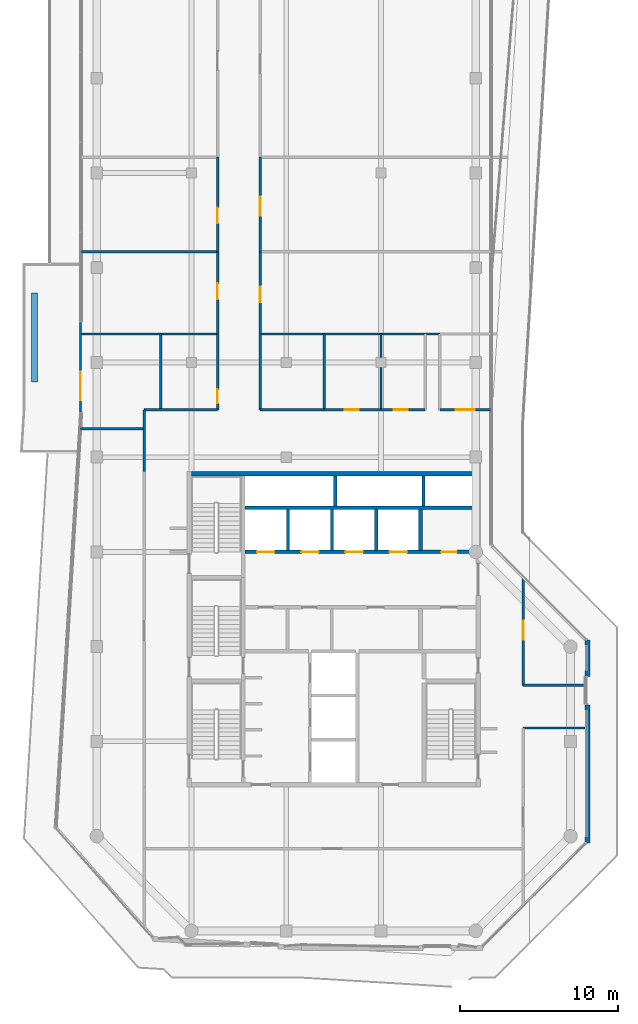
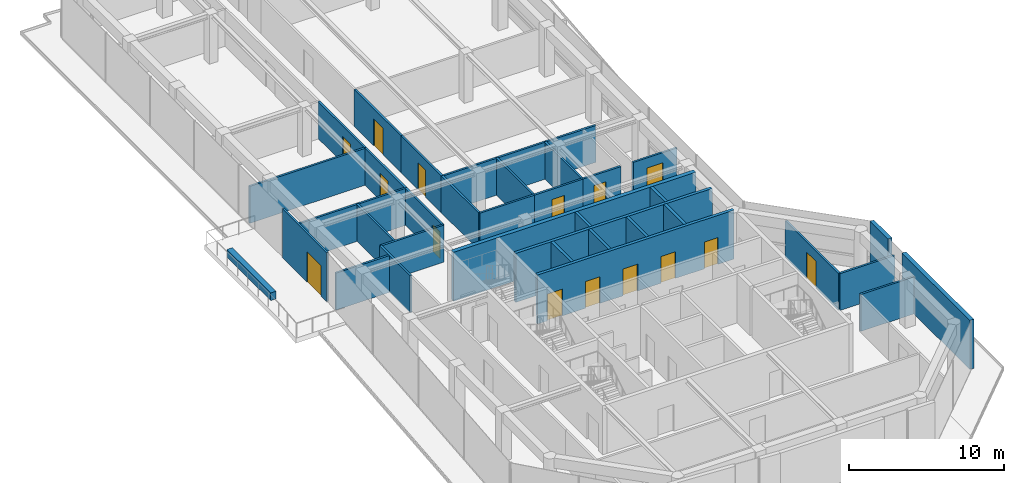
# One storey, part 15 of 18: 35 walls, 15 doors, 15 openings.
"""IFC4 building model written with IfcOpenShell, lengths in metres."""

from ifc_helpers import new_model, si_unit, direction, frame, frame_2d, origin, place, context, subcontext, project, spatial, rectangle, extrude, material, layer, layer_set, type_object, element, fill, save


model = new_model("IFC4")

# Units and contexts
model_context = context("Model", 3, precision=1e-05, world=origin(), true_north=direction((0.0, 1.0)))
body_context = subcontext(model_context, "Body", "Model", "MODEL_VIEW")
ifc_project = project(units=[si_unit("LENGTHUNIT", "METRE"), si_unit("AREAUNIT", "SQUARE_METRE"), si_unit("VOLUMEUNIT", "CUBIC_METRE"), si_unit("PLANEANGLEUNIT", "RADIAN"), si_unit("MASSUNIT", "GRAM", prefix="KILO")], contexts=[model_context])

# Site, building, storey
site_placement = place(None, origin())
site = spatial("IfcSite", under=ifc_project, at=site_placement, CompositionType="ELEMENT")
building_placement = place(site_placement, origin())
building = spatial("IfcBuilding", under=site, at=building_placement, Name="Welwitschia Terrace Campus", CompositionType="ELEMENT")
storey_placement = place(building_placement, frame((0.0, 0.0, 272.60009765625)))
storey = spatial("IfcBuildingStorey", under=building, at=storey_placement, Name="L60", CompositionType="ELEMENT", Elevation=272.60009765625)

# Wall, opening, door
ifc_material_1 = material(Name="Concrete C40/50", Category="concrete")
ifc_layer_1 = layer(ifc_material_1, 0.139892578125)
ifc_layer_set_1 = layer_set([ifc_layer_1], Name="Concrete C40/50")
wall_type_1 = type_object("IfcWallType", Name="Clad wall 140", PredefinedType="SOLIDWALL", material=ifc_layer_set_1)
wall_1_placement = place(storey_placement, frame((-1.030029296875, 34.543701171875, 0.0), z_axis=(0.0, 0.0, 1.0), x_axis=(0.0, -1.0, 0.0)))
wall_1 = element("IfcWall", 1, at=wall_1_placement, inside=storey, type_object=wall_type_1, Name="Clad wall L60.terrace door 0", PredefinedType="SOLIDWALL", context=body_context, shape_type="SweptSolid", body=[
    extrude(rectangle(XDim=5.697265625, YDim=0.139892578125, at=frame_2d((2.8486328125, 0.0))), origin(), (0.0, 0.0, 1.0), 3.849853515625),
])
opening_1_placement = place(wall_1_placement, frame((3.14892578125, 0.0, 0.0)))
opening_1 = element("IfcOpeningElement", 2, at=opening_1_placement, cuts=wall_1, Name="Opening DE3", PredefinedType="OPENING", context=body_context, shape_type="SweptSolid", body=[
    extrude(rectangle(XDim=1.800048828125, YDim=2.39990234375, at=frame_2d((0.89990234375, 1.199951171875))), frame((0.0, 0.079833984375, 0.0), z_axis=(0.0, -1.0, 0.0), x_axis=(1.0, 0.0, 0.0)), (0.0, 0.0, 1.0), 0.159912109375),
])
ifc_material_2 = material(Name="Bronze anodised aluminium and glass", Category="aluminium")
door_type_1 = type_object("IfcDoorType", Name="Terrace door 1800x2400", OperationType="DOUBLE_DOOR_DOUBLE_SWING", PredefinedType="DOOR", material=ifc_material_2)
door_1_placement = place(opening_1_placement, origin())
door_1 = element("IfcDoor", 3, at=door_1_placement, inside=storey, type_object=door_type_1, Name="Door L60:T0", OperationType="DOUBLE_DOOR_DOUBLE_SWING", OverallHeight=2.39990234375, OverallWidth=1.800048828125, PredefinedType="DOOR", context=body_context, shape_type="SweptSolid", body=[
    extrude(rectangle(XDim=1.800048828125, YDim=2.39990234375, at=frame_2d((0.89990234375, 1.199951171875))), frame((0.0, 0.02490234375, 0.0), z_axis=(0.0, -1.0, 0.0), x_axis=(1.0, 0.0, 0.0)), (0.0, 0.0, 1.0), 0.050048828125),
])
fill(opening_1, door_1)

# Wall, openings, doors
ifc_material_3 = material(Name="Concrete C32/40", Category="concrete")
ifc_layer_2 = layer(ifc_material_3, 0.22509765625)
ifc_layer_set_2 = layer_set([ifc_layer_2], Name="Concrete C32/40")
wall_type_2 = type_object("IfcWallType", Name="Core partition 225 Concrete C32/40", PredefinedType="PARTITIONING", material=ifc_layer_set_2)
wall_2_placement = place(storey_placement, frame((24.0, 20.0, 0.0), z_axis=(0.0, 0.0, 1.0), x_axis=(-1.0, 0.0, 0.0)))
wall_2 = element("IfcWall", 4, at=wall_2_placement, inside=storey, type_object=wall_type_2, Name="Shaft wall", PredefinedType="PARTITIONING", context=body_context, shape_type="SweptSolid", body=[
    extrude(rectangle(XDim=14.60009765625, YDim=0.22509765625, at=frame_2d((7.300048828125, 0.0))), origin(), (0.0, 0.0, 1.0), 3.849853515625),
])
opening_2_placement = place(wall_2_placement, frame((12.75, 0.0, 0.0)))
opening_2 = element("IfcOpeningElement", 5, at=opening_2_placement, cuts=wall_2, Name="Opening LD", PredefinedType="OPENING", context=body_context, shape_type="SweptSolid", body=[
    extrude(rectangle(XDim=1.10009765625, YDim=2.10009765625, at=frame_2d((0.550048828125, 1.050048828125))), frame((0.0, 0.12255859375, 0.0), z_axis=(0.0, -1.0, 0.0), x_axis=(1.0, 0.0, 0.0)), (0.0, 0.0, 1.0), 0.2451171875),
])
opening_3_placement = place(wall_2_placement, frame((9.949951171875, 0.0, 0.0)))
opening_3 = element("IfcOpeningElement", 6, at=opening_3_placement, cuts=wall_2, Name="Opening LD", PredefinedType="OPENING", context=body_context, shape_type="SweptSolid", body=[
    extrude(rectangle(XDim=1.10009765625, YDim=2.10009765625, at=frame_2d((0.550048828125, 1.050048828125))), frame((0.0, 0.12255859375, 0.0), z_axis=(0.0, -1.0, 0.0), x_axis=(1.0, 0.0, 0.0)), (0.0, 0.0, 1.0), 0.2451171875),
])
opening_4_placement = place(wall_2_placement, frame((7.14990234375, 0.0, 0.0)))
opening_4 = element("IfcOpeningElement", 7, at=opening_4_placement, cuts=wall_2, Name="Opening LD", PredefinedType="OPENING", context=body_context, shape_type="SweptSolid", body=[
    extrude(rectangle(XDim=1.10009765625, YDim=2.10009765625, at=frame_2d((0.550048828125, 1.050048828125))), frame((0.0, 0.12255859375, 0.0), z_axis=(0.0, -1.0, 0.0), x_axis=(1.0, 0.0, 0.0)), (0.0, 0.0, 1.0), 0.2451171875),
])
opening_5_placement = place(wall_2_placement, frame((4.35009765625, 0.0, 0.0)))
opening_5 = element("IfcOpeningElement", 8, at=opening_5_placement, cuts=wall_2, Name="Opening LD", PredefinedType="OPENING", context=body_context, shape_type="SweptSolid", body=[
    extrude(rectangle(XDim=1.10009765625, YDim=2.10009765625, at=frame_2d((0.550048828125, 1.050048828125))), frame((0.0, 0.12255859375, 0.0), z_axis=(0.0, -1.0, 0.0), x_axis=(1.0, 0.0, 0.0)), (0.0, 0.0, 1.0), 0.2451171875),
])
opening_6_placement = place(wall_2_placement, frame((1.199951171875, 0.0, 0.0)))
opening_6 = element("IfcOpeningElement", 9, at=opening_6_placement, cuts=wall_2, Name="Opening DR10", PredefinedType="OPENING", context=body_context, shape_type="SweptSolid", body=[
    extrude(rectangle(XDim=1.0, YDim=2.10009765625, at=frame_2d((0.5, 1.050048828125))), frame((0.0, 0.12255859375, 0.0), z_axis=(0.0, -1.0, 0.0), x_axis=(1.0, 0.0, 0.0)), (0.0, 0.0, 1.0), 0.2451171875),
])
ifc_material_4 = material(Name="Steel S275", Category="steel")
door_type_2 = type_object("IfcDoorType", Name="Core door DR10", OperationType="SINGLE_SWING_LEFT", PredefinedType="DOOR", material=ifc_material_4)
door_2_placement = place(opening_6_placement, origin())
door_2 = element("IfcDoor", 10, at=door_2_placement, inside=storey, type_object=door_type_2, Name="Door EH-D", OperationType="SINGLE_SWING_LEFT", OverallHeight=2.10009765625, OverallWidth=1.0, PredefinedType="DOOR", context=body_context, shape_type="SweptSolid", body=[
    extrude(rectangle(XDim=1.0, YDim=2.10009765625, at=frame_2d((0.5, 1.050048828125))), frame((0.0, 0.02490234375, 0.0), z_axis=(0.0, -1.0, 0.0), x_axis=(1.0, 0.0, 0.0)), (0.0, 0.0, 1.0), 0.050048828125),
])
fill(opening_6, door_2)
ifc_material_5 = material(Name="Stainless steel 304", Category="steel")
door_type_3 = type_object("IfcDoorType", Name="Lift landing door", OperationType="DOUBLE_DOOR_SLIDING", PredefinedType="DOOR", material=ifc_material_5)
door_3_placement = place(opening_2_placement, origin())
door_3 = element("IfcDoor", 11, at=door_3_placement, inside=storey, type_object=door_type_3, Name="Landing door HR1", OperationType="DOUBLE_DOOR_SLIDING", OverallHeight=2.10009765625, OverallWidth=1.10009765625, PredefinedType="DOOR", context=body_context, shape_type="SweptSolid", body=[
    extrude(rectangle(XDim=1.10009765625, YDim=2.10009765625, at=frame_2d((0.550048828125, 1.050048828125))), frame((0.0, 0.02490234375, 0.0), z_axis=(0.0, -1.0, 0.0), x_axis=(1.0, 0.0, 0.0)), (0.0, 0.0, 1.0), 0.050048828125),
])
fill(opening_2, door_3)
door_4_placement = place(opening_3_placement, origin())
door_4 = element("IfcDoor", 12, at=door_4_placement, inside=storey, type_object=door_type_3, Name="Landing door HR2", OperationType="DOUBLE_DOOR_SLIDING", OverallHeight=2.10009765625, OverallWidth=1.10009765625, PredefinedType="DOOR", context=body_context, shape_type="SweptSolid", body=[
    extrude(rectangle(XDim=1.10009765625, YDim=2.10009765625, at=frame_2d((0.550048828125, 1.050048828125))), frame((0.0, 0.02490234375, 0.0), z_axis=(0.0, -1.0, 0.0), x_axis=(1.0, 0.0, 0.0)), (0.0, 0.0, 1.0), 0.050048828125),
])
fill(opening_3, door_4)
door_5_placement = place(opening_4_placement, origin())
door_5 = element("IfcDoor", 13, at=door_5_placement, inside=storey, type_object=door_type_3, Name="Landing door HR3", OperationType="DOUBLE_DOOR_SLIDING", OverallHeight=2.10009765625, OverallWidth=1.10009765625, PredefinedType="DOOR", context=body_context, shape_type="SweptSolid", body=[
    extrude(rectangle(XDim=1.10009765625, YDim=2.10009765625, at=frame_2d((0.550048828125, 1.050048828125))), frame((0.0, 0.02490234375, 0.0), z_axis=(0.0, -1.0, 0.0), x_axis=(1.0, 0.0, 0.0)), (0.0, 0.0, 1.0), 0.050048828125),
])
fill(opening_4, door_5)
door_6_placement = place(opening_5_placement, origin())
door_6 = element("IfcDoor", 14, at=door_6_placement, inside=storey, type_object=door_type_3, Name="Landing door HR4", OperationType="DOUBLE_DOOR_SLIDING", OverallHeight=2.10009765625, OverallWidth=1.10009765625, PredefinedType="DOOR", context=body_context, shape_type="SweptSolid", body=[
    extrude(rectangle(XDim=1.10009765625, YDim=2.10009765625, at=frame_2d((0.550048828125, 1.050048828125))), frame((0.0, 0.02490234375, 0.0), z_axis=(0.0, -1.0, 0.0), x_axis=(1.0, 0.0, 0.0)), (0.0, 0.0, 1.0), 0.050048828125),
])
fill(opening_5, door_6)

# Walls
wall_3_placement = place(storey_placement, frame((9.39990234375, 22.800048828125, 0.0), z_axis=(0.0, 0.0, 1.0), x_axis=(1.0, 0.0, 0.0)))
element("IfcWall", 15, at=wall_3_placement, inside=storey, type_object=wall_type_2, Name="Shaft wall", PredefinedType="PARTITIONING", context=body_context, shape_type="SweptSolid", body=[
    extrude(rectangle(XDim=14.60009765625, YDim=0.22509765625, at=frame_2d((7.300048828125, 0.0))), origin(), (0.0, 0.0, 1.0), 3.849853515625),
])
wall_4_placement = place(storey_placement, frame((20.5, 20.10009765625, 0.0), z_axis=(0.0, 0.0, 1.0), x_axis=(0.0, 1.0, 0.0)))
element("IfcWall", 16, at=wall_4_placement, inside=storey, type_object=wall_type_2, Name="Shaft wall", PredefinedType="PARTITIONING", context=body_context, shape_type="SweptSolid", body=[
    extrude(rectangle(XDim=2.599853515625, YDim=0.22509765625, at=frame_2d((1.2998046875, 0.0))), origin(), (0.0, 0.0, 1.0), 3.849853515625),
])
ifc_material_6 = material(Name="Concrete C50/60", Category="concrete")
ifc_layer_3 = layer(ifc_material_6, 0.199951171875)
ifc_layer_set_3 = layer_set([ifc_layer_3], Name="Concrete C50/60")
wall_type_3 = type_object("IfcWallType", Name="Core wall 200 Concrete C50/60", PredefinedType="SHEAR", material=ifc_layer_set_3)
for number, where, z_axis, x_axis, name in (
    (17, (15.10009765625, 22.89990234375, 0.0), (0.0, 0.0, 1.0), (0.0, 1.0, 0.0), "Core wall"),
    (18, (20.699951171875, 22.89990234375, 0.0), (0.0, 0.0, 1.0), (0.0, 1.0, 0.0), "Core wall"),
):
    element("IfcWall", number, at=place(storey_placement, frame(where, z_axis=z_axis, x_axis=x_axis)), inside=storey, type_object=wall_type_3, Name=name, PredefinedType="SHEAR", context=body_context, shape_type="SweptSolid", body=[
        extrude(rectangle(XDim=1.900146484375, YDim=0.199951171875, at=frame_2d((0.9501953125, 0.0))), origin(), (0.0, 0.0, 1.0), 3.849853515625),
    ])
ifc_material_7 = material(Name="Concrete C50/60", Category="concrete")
ifc_layer_4 = layer(ifc_material_7, 0.300048828125)
ifc_layer_set_4 = layer_set([ifc_layer_4], Name="Concrete C50/60")
wall_type_4 = type_object("IfcWallType", Name="Core wall 300 Concrete C50/60", PredefinedType="SHEAR", material=ifc_layer_set_4)
wall_5_placement = place(storey_placement, frame((6.0, 24.949951171875, 0.0), z_axis=(0.0, 0.0, 1.0), x_axis=(1.0, 0.0, 0.0)))
element("IfcWall", 19, at=wall_5_placement, inside=storey, type_object=wall_type_4, Name="Core outer wall", PredefinedType="SHEAR", context=body_context, shape_type="SweptSolid", body=[
    extrude(rectangle(XDim=18.0, YDim=0.300048828125, at=frame_2d((9.0, 0.0))), origin(), (0.0, 0.0, 1.0), 3.849853515625),
])
ifc_material_8 = material(Name="Gypsum board on steel studs", Category="steel")
ifc_layer_5 = layer(ifc_material_8, 0.14990234375)
ifc_layer_set_5 = layer_set([ifc_layer_5], Name="Gypsum board on steel studs")
wall_type_5 = type_object("IfcWallType", Name="Corridor partition 150 EI 30", PredefinedType="PARTITIONING", material=ifc_layer_set_5)
wall_6_placement = place(storey_placement, frame((-1.0400390625, 27.800048828125, 0.0), z_axis=(0.0, 0.0, 1.0), x_axis=(1.0, 0.0, 0.0)))
element("IfcWall", 20, at=wall_6_placement, inside=storey, type_object=wall_type_5, Name="Partition", PredefinedType="PARTITIONING", context=body_context, shape_type="SweptSolid", body=[
    extrude(rectangle(XDim=4.0400390625, YDim=0.14990234375, at=frame_2d((2.02001953125, 0.0))), origin(), (0.0, 0.0, 1.0), 2.89990234375),
])
for number, where, z_axis, x_axis, name in (
    (21, (-0.97998046875, 33.800048828125, 0.0), (0.0, 0.0, 1.0), (1.0, 0.0, 0.0), "Partition"),
    (22, (-0.97998046875, 39.0, 0.0), (0.0, 0.0, 1.0), (1.0, 0.0, 0.0), "Partition"),
):
    element("IfcWall", number, at=place(storey_placement, frame(where, z_axis=z_axis, x_axis=x_axis)), inside=storey, type_object=wall_type_5, Name=name, PredefinedType="PARTITIONING", context=body_context, shape_type="SweptSolid", body=[
        extrude(rectangle(XDim=8.6298828125, YDim=0.14990234375, at=frame_2d((4.31494140625, 0.0))), origin(), (0.0, 0.0, 1.0), 2.89990234375),
    ])
wall_7_placement = place(storey_placement, frame((3.0, 25.10009765625, 0.0), z_axis=(0.0, 0.0, 1.0), x_axis=(0.0, 1.0, 0.0)))
element("IfcWall", 23, at=wall_7_placement, inside=storey, type_object=wall_type_5, Name="Partition", PredefinedType="PARTITIONING", context=body_context, shape_type="SweptSolid", body=[
    extrude(rectangle(XDim=3.89990234375, YDim=0.14990234375, at=frame_2d((1.949951171875, 0.0))), origin(), (0.0, 0.0, 1.0), 2.89990234375),
])
wall_8_placement = place(storey_placement, frame((3.0, 29.0, 0.0), z_axis=(0.0, 0.0, 1.0), x_axis=(1.0, 0.0, 0.0)))
element("IfcWall", 24, at=wall_8_placement, inside=storey, type_object=wall_type_5, Name="Partition", PredefinedType="PARTITIONING", context=body_context, shape_type="SweptSolid", body=[
    extrude(rectangle(XDim=4.64990234375, YDim=0.14990234375, at=frame_2d((2.324951171875, 0.0))), origin(), (0.0, 0.0, 1.0), 2.89990234375),
])
wall_9_placement = place(storey_placement, frame((4.050048828125, 29.0, 0.0), z_axis=(0.0, 0.0, 1.0), x_axis=(0.0, 1.0, 0.0)))
element("IfcWall", 25, at=wall_9_placement, inside=storey, type_object=wall_type_5, Name="Partition", PredefinedType="PARTITIONING", context=body_context, shape_type="SweptSolid", body=[
    extrude(rectangle(XDim=4.800048828125, YDim=0.14990234375, at=frame_2d((2.39990234375, 0.0))), origin(), (0.0, 0.0, 1.0), 2.89990234375),
])

# Wall, opening, door
wall_10_placement = place(storey_placement, frame((7.64990234375, 29.0, 0.0), z_axis=(0.0, 0.0, 1.0), x_axis=(0.0, 1.0, 0.0)))
wall_10 = element("IfcWall", 26, at=wall_10_placement, inside=storey, type_object=wall_type_5, Name="Partition", PredefinedType="PARTITIONING", context=body_context, shape_type="SweptSolid", body=[
    extrude(rectangle(XDim=4.800048828125, YDim=0.14990234375, at=frame_2d((2.39990234375, 0.0))), origin(), (0.0, 0.0, 1.0), 2.89990234375),
])
opening_7_placement = place(wall_10_placement, frame((0.39990234375, 0.0, 0.0)))
opening_7 = element("IfcOpeningElement", 27, at=opening_7_placement, cuts=wall_10, Name="Opening DI09", PredefinedType="OPENING", context=body_context, shape_type="SweptSolid", body=[
    extrude(rectangle(XDim=0.89990234375, YDim=2.10009765625, at=frame_2d((0.449951171875, 1.050048828125))), frame((0.0, 0.0849609375, 0.0), z_axis=(0.0, -1.0, 0.0), x_axis=(1.0, 0.0, 0.0)), (0.0, 0.0, 1.0), 0.169921875),
])
ifc_material_9 = material(Name="Timber veneered door", Category="wood")
door_type_4 = type_object("IfcDoorType", Name="Interior door DI09", OperationType="NOTDEFINED", PredefinedType="DOOR", material=ifc_material_9)
door_7_placement = place(opening_7_placement, origin())
door_7 = element("IfcDoor", 28, at=door_7_placement, inside=storey, type_object=door_type_4, Name="Door L60 1073", OperationType="SINGLE_SWING_RIGHT", OverallHeight=2.10009765625, OverallWidth=0.89990234375, PredefinedType="DOOR", context=body_context, shape_type="SweptSolid", body=[
    extrude(rectangle(XDim=0.89990234375, YDim=2.10009765625, at=frame_2d((0.449951171875, 1.050048828125))), frame((0.0, 0.02490234375, 0.0), z_axis=(0.0, -1.0, 0.0), x_axis=(1.0, 0.0, 0.0)), (0.0, 0.0, 1.0), 0.050048828125),
])
fill(opening_7, door_7)

wall_11_placement = place(storey_placement, frame((7.64990234375, 33.800048828125, 0.0), z_axis=(0.0, 0.0, 1.0), x_axis=(0.0, 1.0, 0.0)))
wall_11 = element("IfcWall", 29, at=wall_11_placement, inside=storey, type_object=wall_type_5, Name="Partition", PredefinedType="PARTITIONING", context=body_context, shape_type="SweptSolid", body=[
    extrude(rectangle(XDim=5.199951171875, YDim=0.14990234375, at=frame_2d((2.60009765625, 0.0))), origin(), (0.0, 0.0, 1.0), 2.89990234375),
])
opening_8_placement = place(wall_11_placement, frame((2.199951171875, 0.0, 0.0)))
opening_8 = element("IfcOpeningElement", 30, at=opening_8_placement, cuts=wall_11, Name="Opening DI10", PredefinedType="OPENING", context=body_context, shape_type="SweptSolid", body=[
    extrude(rectangle(XDim=1.0, YDim=2.10009765625, at=frame_2d((0.5, 1.050048828125))), frame((0.0, 0.0849609375, 0.0), z_axis=(0.0, -1.0, 0.0), x_axis=(1.0, 0.0, 0.0)), (0.0, 0.0, 1.0), 0.169921875),
])
ifc_material_10 = material(Name="Timber veneered door", Category="wood")
door_type_5 = type_object("IfcDoorType", Name="Interior door DI10", OperationType="NOTDEFINED", PredefinedType="DOOR", material=ifc_material_10)
door_8_placement = place(opening_8_placement, origin())
door_8 = element("IfcDoor", 31, at=door_8_placement, inside=storey, type_object=door_type_5, Name="Door L60 1074", OperationType="SINGLE_SWING_LEFT", OverallHeight=2.10009765625, OverallWidth=1.0, PredefinedType="DOOR", context=body_context, shape_type="SweptSolid", body=[
    extrude(rectangle(XDim=1.0, YDim=2.10009765625, at=frame_2d((0.5, 1.050048828125))), frame((0.0, 0.02490234375, 0.0), z_axis=(0.0, -1.0, 0.0), x_axis=(1.0, 0.0, 0.0)), (0.0, 0.0, 1.0), 0.050048828125),
])
fill(opening_8, door_8)

wall_12_placement = place(storey_placement, frame((7.64990234375, 39.0, 0.0), z_axis=(0.0, 0.0, 1.0), x_axis=(0.0, 1.0, 0.0)))
wall_12 = element("IfcWall", 32, at=wall_12_placement, inside=storey, type_object=wall_type_5, Name="Partition", PredefinedType="PARTITIONING", context=body_context, shape_type="SweptSolid", body=[
    extrude(rectangle(XDim=6.0, YDim=0.14990234375, at=frame_2d((3.0, 0.0))), origin(), (0.0, 0.0, 1.0), 2.89990234375),
])
opening_9_placement = place(wall_12_placement, frame((1.800048828125, 0.0, 0.0)))
opening_9 = element("IfcOpeningElement", 33, at=opening_9_placement, cuts=wall_12, Name="Opening DI10", PredefinedType="OPENING", context=body_context, shape_type="SweptSolid", body=[
    extrude(rectangle(XDim=1.0, YDim=2.10009765625, at=frame_2d((0.5, 1.050048828125))), frame((0.0, 0.0849609375, 0.0), z_axis=(0.0, -1.0, 0.0), x_axis=(1.0, 0.0, 0.0)), (0.0, 0.0, 1.0), 0.169921875),
])
door_9_placement = place(opening_9_placement, origin())
door_9 = element("IfcDoor", 34, at=door_9_placement, inside=storey, type_object=door_type_5, Name="Door L60 1075", OperationType="SINGLE_SWING_RIGHT", OverallHeight=2.10009765625, OverallWidth=1.0, PredefinedType="DOOR", context=body_context, shape_type="SweptSolid", body=[
    extrude(rectangle(XDim=1.0, YDim=2.10009765625, at=frame_2d((0.5, 1.050048828125))), frame((0.0, 0.02490234375, 0.0), z_axis=(0.0, -1.0, 0.0), x_axis=(1.0, 0.0, 0.0)), (0.0, 0.0, 1.0), 0.050048828125),
])
fill(opening_9, door_9)

# Walls
wall_13_placement = place(storey_placement, frame((10.35009765625, 29.0, 0.0), z_axis=(0.0, 0.0, 1.0), x_axis=(0.0, 1.0, 0.0)))
element("IfcWall", 35, at=wall_13_placement, inside=storey, type_object=wall_type_5, Name="Partition", PredefinedType="PARTITIONING", context=body_context, shape_type="SweptSolid", body=[
    extrude(rectangle(XDim=4.800048828125, YDim=0.14990234375, at=frame_2d((2.39990234375, 0.0))), origin(), (0.0, 0.0, 1.0), 2.89990234375),
])
wall_14_placement = place(storey_placement, frame((10.35009765625, 29.0, 0.0), z_axis=(0.0, 0.0, 1.0), x_axis=(1.0, 0.0, 0.0)))
element("IfcWall", 36, at=wall_14_placement, inside=storey, type_object=wall_type_5, Name="Partition", PredefinedType="PARTITIONING", context=body_context, shape_type="SweptSolid", body=[
    extrude(rectangle(XDim=4.0498046875, YDim=0.14990234375, at=frame_2d((2.02490234375, 0.0))), origin(), (0.0, 0.0, 1.0), 2.89990234375),
])
wall_15_placement = place(storey_placement, frame((10.35009765625, 33.800048828125, 0.0), z_axis=(0.0, 0.0, 1.0), x_axis=(1.0, 0.0, 0.0)))
element("IfcWall", 37, at=wall_15_placement, inside=storey, type_object=wall_type_5, Name="Partition", PredefinedType="PARTITIONING", context=body_context, shape_type="SweptSolid", body=[
    extrude(rectangle(XDim=11.3798828125, YDim=0.14990234375, at=frame_2d((5.68994140625, 0.0))), origin(), (0.0, 0.0, 1.0), 2.89990234375),
])

# Wall, opening, door
wall_16_placement = place(storey_placement, frame((10.35009765625, 39.0, 0.0), z_axis=(0.0, 0.0, 1.0), x_axis=(0.0, -1.0, 0.0)))
wall_16 = element("IfcWall", 38, at=wall_16_placement, inside=storey, type_object=wall_type_5, Name="Partition", PredefinedType="PARTITIONING", context=body_context, shape_type="SweptSolid", body=[
    extrude(rectangle(XDim=5.199951171875, YDim=0.14990234375, at=frame_2d((2.60009765625, 0.0))), origin(), (0.0, 0.0, 1.0), 2.89990234375),
])
opening_10_placement = place(wall_16_placement, frame((2.199951171875, 0.0, 0.0)))
opening_10 = element("IfcOpeningElement", 39, at=opening_10_placement, cuts=wall_16, Name="Opening DI10", PredefinedType="OPENING", context=body_context, shape_type="SweptSolid", body=[
    extrude(rectangle(XDim=1.0, YDim=2.10009765625, at=frame_2d((0.5, 1.050048828125))), frame((0.0, 0.0849609375, 0.0), z_axis=(0.0, -1.0, 0.0), x_axis=(1.0, 0.0, 0.0)), (0.0, 0.0, 1.0), 0.169921875),
])
door_10_placement = place(opening_10_placement, origin())
door_10 = element("IfcDoor", 40, at=door_10_placement, inside=storey, type_object=door_type_5, Name="Door L60 1078", OperationType="SINGLE_SWING_LEFT", OverallHeight=2.10009765625, OverallWidth=1.0, PredefinedType="DOOR", context=body_context, shape_type="SweptSolid", body=[
    extrude(rectangle(XDim=1.0, YDim=2.10009765625, at=frame_2d((0.5, 1.050048828125))), frame((0.0, 0.02490234375, 0.0), z_axis=(0.0, -1.0, 0.0), x_axis=(1.0, 0.0, 0.0)), (0.0, 0.0, 1.0), 0.050048828125),
])
fill(opening_10, door_10)

wall_17_placement = place(storey_placement, frame((10.35009765625, 39.0, 0.0), z_axis=(0.0, 0.0, 1.0), x_axis=(0.0, 1.0, 0.0)))
wall_17 = element("IfcWall", 41, at=wall_17_placement, inside=storey, type_object=wall_type_5, Name="Partition", PredefinedType="PARTITIONING", context=body_context, shape_type="SweptSolid", body=[
    extrude(rectangle(XDim=6.0, YDim=0.14990234375, at=frame_2d((3.0, 0.0))), origin(), (0.0, 0.0, 1.0), 2.89990234375),
])
opening_11_placement = place(wall_17_placement, frame((2.300048828125, 0.0, 0.0)))
opening_11 = element("IfcOpeningElement", 42, at=opening_11_placement, cuts=wall_17, Name="Opening DI12", PredefinedType="OPENING", context=body_context, shape_type="SweptSolid", body=[
    extrude(rectangle(XDim=1.199951171875, YDim=2.10009765625, at=frame_2d((0.60009765625, 1.050048828125))), frame((0.0, 0.0849609375, 0.0), z_axis=(0.0, -1.0, 0.0), x_axis=(1.0, 0.0, 0.0)), (0.0, 0.0, 1.0), 0.169921875),
])
ifc_material_11 = material(Name="Timber veneered door", Category="wood")
door_type_6 = type_object("IfcDoorType", Name="Interior door DI12", OperationType="NOTDEFINED", PredefinedType="DOOR", material=ifc_material_11)
door_11_placement = place(opening_11_placement, origin())
door_11 = element("IfcDoor", 43, at=door_11_placement, inside=storey, type_object=door_type_6, Name="Door L60 1079", OperationType="SINGLE_SWING_RIGHT", OverallHeight=2.10009765625, OverallWidth=1.199951171875, PredefinedType="DOOR", context=body_context, shape_type="SweptSolid", body=[
    extrude(rectangle(XDim=1.199951171875, YDim=2.10009765625, at=frame_2d((0.60009765625, 1.050048828125))), frame((0.0, 0.02490234375, 0.0), z_axis=(0.0, -1.0, 0.0), x_axis=(1.0, 0.0, 0.0)), (0.0, 0.0, 1.0), 0.050048828125),
])
fill(opening_11, door_11)

# Wall
wall_18_placement = place(storey_placement, frame((14.39990234375, 29.0, 0.0), z_axis=(0.0, 0.0, 1.0), x_axis=(0.0, 1.0, 0.0)))
element("IfcWall", 44, at=wall_18_placement, inside=storey, type_object=wall_type_5, Name="Partition", PredefinedType="PARTITIONING", context=body_context, shape_type="SweptSolid", body=[
    extrude(rectangle(XDim=4.800048828125, YDim=0.14990234375, at=frame_2d((2.39990234375, 0.0))), origin(), (0.0, 0.0, 1.0), 2.89990234375),
])

# Wall, opening, door
wall_19_placement = place(storey_placement, frame((14.39990234375, 29.0, 0.0), z_axis=(0.0, 0.0, 1.0), x_axis=(1.0, 0.0, 0.0)))
wall_19 = element("IfcWall", 45, at=wall_19_placement, inside=storey, type_object=wall_type_5, Name="Partition", PredefinedType="PARTITIONING", context=body_context, shape_type="SweptSolid", body=[
    extrude(rectangle(XDim=3.60009765625, YDim=0.14990234375, at=frame_2d((1.800048828125, 0.0))), origin(), (0.0, 0.0, 1.0), 2.89990234375),
])
opening_12_placement = place(wall_19_placement, frame((1.300048828125, 0.0, 0.0)))
opening_12 = element("IfcOpeningElement", 46, at=opening_12_placement, cuts=wall_19, Name="Opening DI09", PredefinedType="OPENING", context=body_context, shape_type="SweptSolid", body=[
    extrude(rectangle(XDim=0.89990234375, YDim=2.10009765625, at=frame_2d((0.449951171875, 1.050048828125))), frame((0.0, 0.0849609375, 0.0), z_axis=(0.0, -1.0, 0.0), x_axis=(1.0, 0.0, 0.0)), (0.0, 0.0, 1.0), 0.169921875),
])
door_12_placement = place(opening_12_placement, origin())
door_12 = element("IfcDoor", 47, at=door_12_placement, inside=storey, type_object=door_type_4, Name="Door L60 1082", OperationType="SINGLE_SWING_LEFT", OverallHeight=2.10009765625, OverallWidth=0.89990234375, PredefinedType="DOOR", context=body_context, shape_type="SweptSolid", body=[
    extrude(rectangle(XDim=0.89990234375, YDim=2.10009765625, at=frame_2d((0.449951171875, 1.050048828125))), frame((0.0, 0.02490234375, 0.0), z_axis=(0.0, -1.0, 0.0), x_axis=(1.0, 0.0, 0.0)), (0.0, 0.0, 1.0), 0.050048828125),
])
fill(opening_12, door_12)

# Wall
wall_20_placement = place(storey_placement, frame((18.0, 29.0, 0.0), z_axis=(0.0, 0.0, 1.0), x_axis=(0.0, 1.0, 0.0)))
element("IfcWall", 48, at=wall_20_placement, inside=storey, type_object=wall_type_5, Name="Partition", PredefinedType="PARTITIONING", context=body_context, shape_type="SweptSolid", body=[
    extrude(rectangle(XDim=4.800048828125, YDim=0.14990234375, at=frame_2d((2.39990234375, 0.0))), origin(), (0.0, 0.0, 1.0), 2.89990234375),
])

# Wall, opening, door
wall_21_placement = place(storey_placement, frame((18.0, 29.0, 0.0), z_axis=(0.0, 0.0, 1.0), x_axis=(1.0, 0.0, 0.0)))
wall_21 = element("IfcWall", 49, at=wall_21_placement, inside=storey, type_object=wall_type_5, Name="Partition", PredefinedType="PARTITIONING", context=body_context, shape_type="SweptSolid", body=[
    extrude(rectangle(XDim=2.800048828125, YDim=0.14990234375, at=frame_2d((1.39990234375, 0.0))), origin(), (0.0, 0.0, 1.0), 2.89990234375),
])
opening_13_placement = place(wall_21_placement, frame((0.800048828125, 0.0, 0.0)))
opening_13 = element("IfcOpeningElement", 50, at=opening_13_placement, cuts=wall_21, Name="Opening DI09", PredefinedType="OPENING", context=body_context, shape_type="SweptSolid", body=[
    extrude(rectangle(XDim=0.89990234375, YDim=2.10009765625, at=frame_2d((0.449951171875, 1.050048828125))), frame((0.0, 0.0849609375, 0.0), z_axis=(0.0, -1.0, 0.0), x_axis=(1.0, 0.0, 0.0)), (0.0, 0.0, 1.0), 0.169921875),
])
door_13_placement = place(opening_13_placement, origin())
door_13 = element("IfcDoor", 51, at=door_13_placement, inside=storey, type_object=door_type_4, Name="Door L60 1083", OperationType="SINGLE_SWING_RIGHT", OverallHeight=2.10009765625, OverallWidth=0.89990234375, PredefinedType="DOOR", context=body_context, shape_type="SweptSolid", body=[
    extrude(rectangle(XDim=0.89990234375, YDim=2.10009765625, at=frame_2d((0.449951171875, 1.050048828125))), frame((0.0, 0.02490234375, 0.0), z_axis=(0.0, -1.0, 0.0), x_axis=(1.0, 0.0, 0.0)), (0.0, 0.0, 1.0), 0.050048828125),
])
fill(opening_13, door_13)

wall_22_placement = place(storey_placement, frame((21.72998046875, 29.0, 0.0), z_axis=(0.0, 0.0, 1.0), x_axis=(1.0, 0.0, 0.0)))
wall_22 = element("IfcWall", 52, at=wall_22_placement, inside=storey, type_object=wall_type_5, Name="Partition", PredefinedType="PARTITIONING", context=body_context, shape_type="SweptSolid", body=[
    extrude(rectangle(XDim=3.239990234375, YDim=0.14990234375, at=frame_2d((1.6201171875, 0.0))), origin(), (0.0, 0.0, 1.0), 2.89990234375),
])
opening_14_placement = place(wall_22_placement, frame((1.010009765625, 0.0, 0.0)))
opening_14 = element("IfcOpeningElement", 53, at=opening_14_placement, cuts=wall_22, Name="Opening DX12", PredefinedType="OPENING", context=body_context, shape_type="SweptSolid", body=[
    extrude(rectangle(XDim=1.199951171875, YDim=2.10009765625, at=frame_2d((0.60009765625, 1.050048828125))), frame((0.0, 0.0849609375, 0.0), z_axis=(0.0, -1.0, 0.0), x_axis=(1.0, 0.0, 0.0)), (0.0, 0.0, 1.0), 0.169921875),
])
ifc_material_12 = material(Name="Timber veneered door", Category="wood")
door_type_7 = type_object("IfcDoorType", Name="Interior door DX12", OperationType="NOTDEFINED", PredefinedType="DOOR", material=ifc_material_12)
door_14_placement = place(opening_14_placement, origin())
door_14 = element("IfcDoor", 54, at=door_14_placement, inside=storey, type_object=door_type_7, Name="Door L60 1084", OperationType="SINGLE_SWING_LEFT", OverallHeight=2.10009765625, OverallWidth=1.199951171875, PredefinedType="DOOR", context=body_context, shape_type="SweptSolid", body=[
    extrude(rectangle(XDim=1.199951171875, YDim=2.10009765625, at=frame_2d((0.60009765625, 1.050048828125))), frame((0.0, 0.02490234375, 0.0), z_axis=(0.0, -1.0, 0.0), x_axis=(1.0, 0.0, 0.0)), (0.0, 0.0, 1.0), 0.050048828125),
])
fill(opening_14, door_14)

# Wall
wall_23_placement = place(storey_placement, frame((27.0, 8.85009765625, 0.0), z_axis=(0.0, 0.0, 1.0), x_axis=(1.0, 0.0, 0.0)))
element("IfcWall", 55, at=wall_23_placement, inside=storey, type_object=wall_type_5, Name="Partition", PredefinedType="PARTITIONING", context=body_context, shape_type="SweptSolid", body=[
    extrude(rectangle(XDim=4.090087890625, YDim=0.14990234375, at=frame_2d((2.044921875, 0.0))), origin(), (0.0, 0.0, 1.0), 2.89990234375),
])

# Wall, opening, door
wall_24_placement = place(storey_placement, frame((27.0, 11.550048828125, 0.0), z_axis=(0.0, 0.0, 1.0), x_axis=(0.0, 1.0, 0.0)))
wall_24 = element("IfcWall", 56, at=wall_24_placement, inside=storey, type_object=wall_type_5, Name="Partition", PredefinedType="PARTITIONING", context=body_context, shape_type="SweptSolid", body=[
    extrude(rectangle(XDim=6.829833984375, YDim=0.14990234375, at=frame_2d((3.4150390625, 0.0))), origin(), (0.0, 0.0, 1.0), 2.89990234375),
])
opening_15_placement = place(wall_24_placement, frame((2.89990234375, 0.0, 0.0)))
opening_15 = element("IfcOpeningElement", 57, at=opening_15_placement, cuts=wall_24, Name="Opening DI12", PredefinedType="OPENING", context=body_context, shape_type="SweptSolid", body=[
    extrude(rectangle(XDim=1.199951171875, YDim=2.10009765625, at=frame_2d((0.60009765625, 1.050048828125))), frame((0.0, 0.0849609375, 0.0), z_axis=(0.0, -1.0, 0.0), x_axis=(1.0, 0.0, 0.0)), (0.0, 0.0, 1.0), 0.169921875),
])
door_15_placement = place(opening_15_placement, origin())
door_15 = element("IfcDoor", 58, at=door_15_placement, inside=storey, type_object=door_type_6, Name="Door L60 1087", OperationType="SINGLE_SWING_RIGHT", OverallHeight=2.10009765625, OverallWidth=1.199951171875, PredefinedType="DOOR", context=body_context, shape_type="SweptSolid", body=[
    extrude(rectangle(XDim=1.199951171875, YDim=2.10009765625, at=frame_2d((0.60009765625, 1.050048828125))), frame((0.0, 0.02490234375, 0.0), z_axis=(0.0, -1.0, 0.0), x_axis=(1.0, 0.0, 0.0)), (0.0, 0.0, 1.0), 0.050048828125),
])
fill(opening_15, door_15)

# Walls
wall_25_placement = place(storey_placement, frame((27.0, 11.550048828125, 0.0), z_axis=(0.0, 0.0, 1.0), x_axis=(1.0, 0.0, 0.0)))
element("IfcWall", 59, at=wall_25_placement, inside=storey, type_object=wall_type_5, Name="Partition", PredefinedType="PARTITIONING", context=body_context, shape_type="SweptSolid", body=[
    extrude(rectangle(XDim=4.090087890625, YDim=0.14990234375, at=frame_2d((2.044921875, 0.0))), origin(), (0.0, 0.0, 1.0), 2.89990234375),
])
ifc_material_13 = material(Name="Concrete C40/50", Category="concrete")
ifc_layer_6 = layer(ifc_material_13, 0.300048828125)
ifc_layer_set_6 = layer_set([ifc_layer_6], Name="Concrete C40/50")
wall_type_6 = type_object("IfcWallType", Name="Mass wall 300", PredefinedType="SOLIDWALL", material=ifc_layer_set_6)
wall_26_placement = place(storey_placement, frame((31.07958984375, 1.573486328125, 0.0), z_axis=(0.0, 0.0, 1.0), x_axis=(0.0, 1.0, 0.0)))
element("IfcWall", 60, at=wall_26_placement, inside=storey, type_object=wall_type_6, Name="Mass wall L60.5.0", PredefinedType="SOLIDWALL", context=body_context, shape_type="SweptSolid", body=[
    extrude(rectangle(XDim=8.73974609375, YDim=0.300048828125, at=frame_2d((4.369873046875, 0.0))), origin(), (0.0, 0.0, 1.0), 3.849853515625),
])
wall_27_placement = place(storey_placement, frame((31.07958984375, 12.11328125, 0.0), z_axis=(0.0, 0.0, 1.0), x_axis=(0.0, 1.0, 0.0)))
element("IfcWall", 61, at=wall_27_placement, inside=storey, type_object=wall_type_6, Name="Mass wall L60.5.1", PredefinedType="SOLIDWALL", context=body_context, shape_type="SweptSolid", body=[
    extrude(rectangle(XDim=2.313232421875, YDim=0.300048828125, at=frame_2d((1.15673828125, 0.0))), origin(), (0.0, 0.0, 1.0), 3.849853515625),
])
ifc_material_14 = material(Name="Concrete C40/50", Category="concrete")
ifc_layer_7 = layer(ifc_material_14, 0.39990234375)
ifc_layer_set_7 = layer_set([ifc_layer_7], Name="Concrete C40/50")
wall_type_7 = type_object("IfcWallType", Name="Planter wall 400", PredefinedType="SOLIDWALL", material=ifc_layer_set_7)
wall_28_placement = place(storey_placement, frame((-3.949951171875, 30.755615234375, 0.0), z_axis=(0.0, 0.0, 1.0), x_axis=(0.0, 1.0, 0.0)))
element("IfcWall", 62, at=wall_28_placement, inside=storey, type_object=wall_type_7, Name="PLANTER", PredefinedType="SOLIDWALL", context=body_context, shape_type="SweptSolid", body=[
    extrude(rectangle(XDim=5.63720703125, YDim=0.39990234375, at=frame_2d((2.818603515625, 0.0))), origin(), (0.0, 0.0, 1.0), 0.599853515625),
])
ifc_material_15 = material(Name="Concrete C32/40", Category="concrete")
ifc_layer_8 = layer(ifc_material_15, 0.199951171875)
ifc_layer_set_8 = layer_set([ifc_layer_8], Name="Concrete C32/40")
wall_type_8 = type_object("IfcWallType", Name="Shaft wall 200 Concrete C32/40", PredefinedType="SOLIDWALL", material=ifc_layer_set_8)
for number, where, z_axis, x_axis, name in (
    (63, (12.10009765625, 20.10009765625, 0.0), (0.0, 0.0, 1.0), (0.0, 1.0, 0.0), "Shaft wall"),
    (64, (14.89990234375, 20.10009765625, 0.0), (0.0, 0.0, 1.0), (0.0, 1.0, 0.0), "Shaft wall"),
    (65, (17.699951171875, 20.10009765625, 0.0), (0.0, 0.0, 1.0), (0.0, 1.0, 0.0), "Shaft wall"),
):
    element("IfcWall", number, at=place(storey_placement, frame(where, z_axis=z_axis, x_axis=x_axis)), inside=storey, type_object=wall_type_8, Name=name, PredefinedType="SOLIDWALL", context=body_context, shape_type="SweptSolid", body=[
        extrude(rectangle(XDim=2.599853515625, YDim=0.199951171875, at=frame_2d((1.2998046875, 0.0))), origin(), (0.0, 0.0, 1.0), 3.849853515625),
    ])

save(model, "model.ifc")
